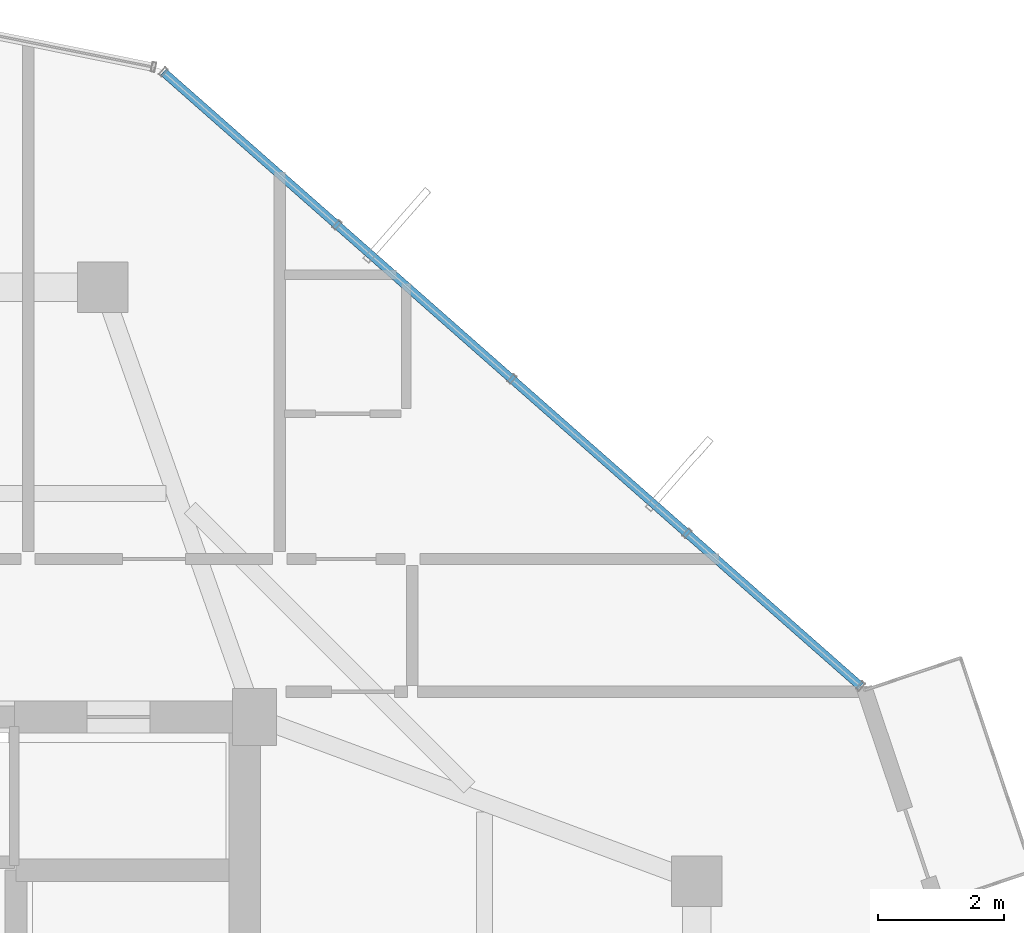
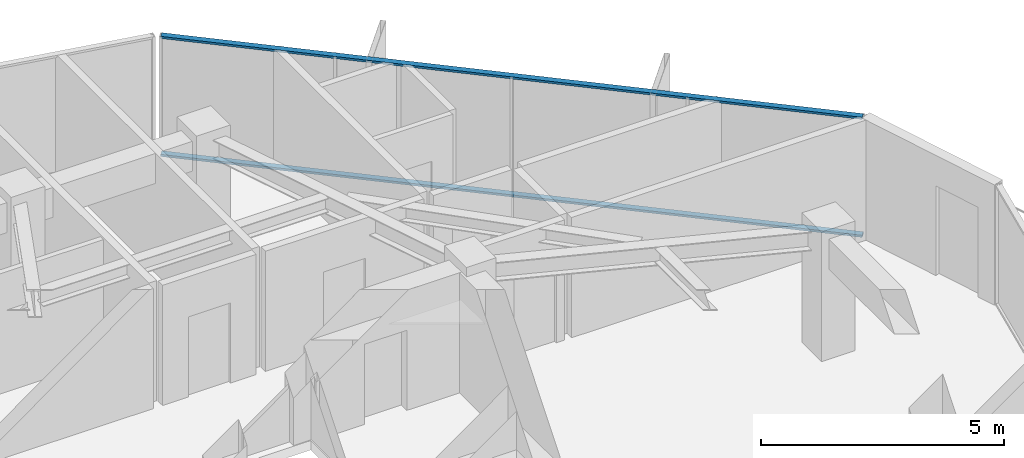
# One storey, part 16 of 28: 2 members, 1 element without a shape of its own.
"""IFC4 building model written with IfcOpenShell, lengths in metres."""

from ifc_helpers import new_model, si_unit, direction, frame, origin, origin_2d, place, context, subcontext, project, spatial, hollow_rectangle, extrude, source, transform, mapped, material, layer, layer_set, material_profile, profile_set, type_object, element, aggregate, save


model = new_model("IFC4")

# Units and contexts
model_context = context("Model", 3, precision=1e-05, world=origin(), true_north=direction((0.0, 1.0)))
body_context = subcontext(model_context, "Body", "Model", "MODEL_VIEW")
ifc_project = project(units=[si_unit("LENGTHUNIT", "METRE"), si_unit("AREAUNIT", "SQUARE_METRE"), si_unit("VOLUMEUNIT", "CUBIC_METRE"), si_unit("PLANEANGLEUNIT", "RADIAN"), si_unit("MASSUNIT", "GRAM", prefix="KILO")], contexts=[model_context])

# Site, building, storey
site_placement = place(None, origin())
site = spatial("IfcSite", under=ifc_project, at=site_placement, CompositionType="ELEMENT")
building_placement = place(site_placement, origin())
building = spatial("IfcBuilding", under=site, at=building_placement, Name="Veraguas Prism Commons", CompositionType="ELEMENT")
storey_placement = place(building_placement, frame((0.0, 0.0, 248.0)))
storey = spatial("IfcBuildingStorey", under=building, at=storey_placement, Name="L70", CompositionType="ELEMENT", Elevation=248.0)

# Curtain wall, members
ifc_material = material(Name="Anodised aluminium EN AW-6063 T6", Category="aluminium")
ifc_layer = layer(ifc_material, 0.14990234375, Name="Unitised Flush Curtain Wall Zone 4", Category="aluminium")
ifc_layer_set = layer_set([ifc_layer], Name="Anodised aluminium EN AW-6063 T6")
curtain_wall_type = type_object("IfcCurtainWallType", Name="Unitised Flush Curtain Wall Zone 4", PredefinedType="NOTDEFINED", material=ifc_layer_set)
curtain_wall_placement = place(storey_placement, origin())
curtain_wall = element("IfcCurtainWall", 1, at=curtain_wall_placement, inside=storey, type_object=curtain_wall_type, Name="Tower Facade Curtain Wall L70-F1", PredefinedType="NOTDEFINED")
ifc_material_profile = material_profile(ifc_material, hollow_rectangle(XDim=0.054931640625, YDim=0.135009765625, WallThickness=0.0029296875, at=origin_2d()), Name="AL55X135X3")
ifc_profile_set = profile_set([ifc_material_profile], Name="Anodised aluminium EN AW-6063 T6")
member_type = type_object("IfcMemberType", Name="Curtain Wall Transom Standard AL 55x135x3", PredefinedType="USERDEFINED", material=ifc_profile_set)
shared_shape = source(origin(), body_context, "Body", "SweptSolid", [
    extrude(hollow_rectangle(XDim=0.054931640625, YDim=0.135009765625, WallThickness=0.0029296875, at=origin_2d()), origin(), (0.0, 0.0, 1.0), 14.706298828125),
])
member_1_placement = place(storey_placement, frame((40.394775390625, 31.48583984375, 0.027587890625), z_axis=(-0.750352132874, 0.66103833224, 0.0), x_axis=(0.0, 0.0, 1.0)))
member_1 = element("IfcMember", 2, at=member_1_placement, type_object=member_type, Name="CW-Z4 Transom 1", ObjectType="TRANSOM", PredefinedType="USERDEFINED", context=body_context, shape_type="MappedRepresentation", body=[
    mapped(shared_shape, transform((0.0, 0.0, 0.0), scale=1.0)),
])
member_2_placement = place(storey_placement, frame((40.394775390625, 31.48583984375, 2.987548828125), z_axis=(-0.750352132874, 0.66103833224, 0.0), x_axis=(0.0, 0.0, 1.0)))
member_2 = element("IfcMember", 3, at=member_2_placement, type_object=member_type, Name="CW-Z4 Transom 2", ObjectType="TRANSOM", PredefinedType="USERDEFINED", context=body_context, shape_type="MappedRepresentation", body=[
    mapped(shared_shape, transform((0.0, 0.0, 0.0), scale=1.0)),
])
aggregate(curtain_wall, [member_1, member_2])

save(model, "model.ifc")
